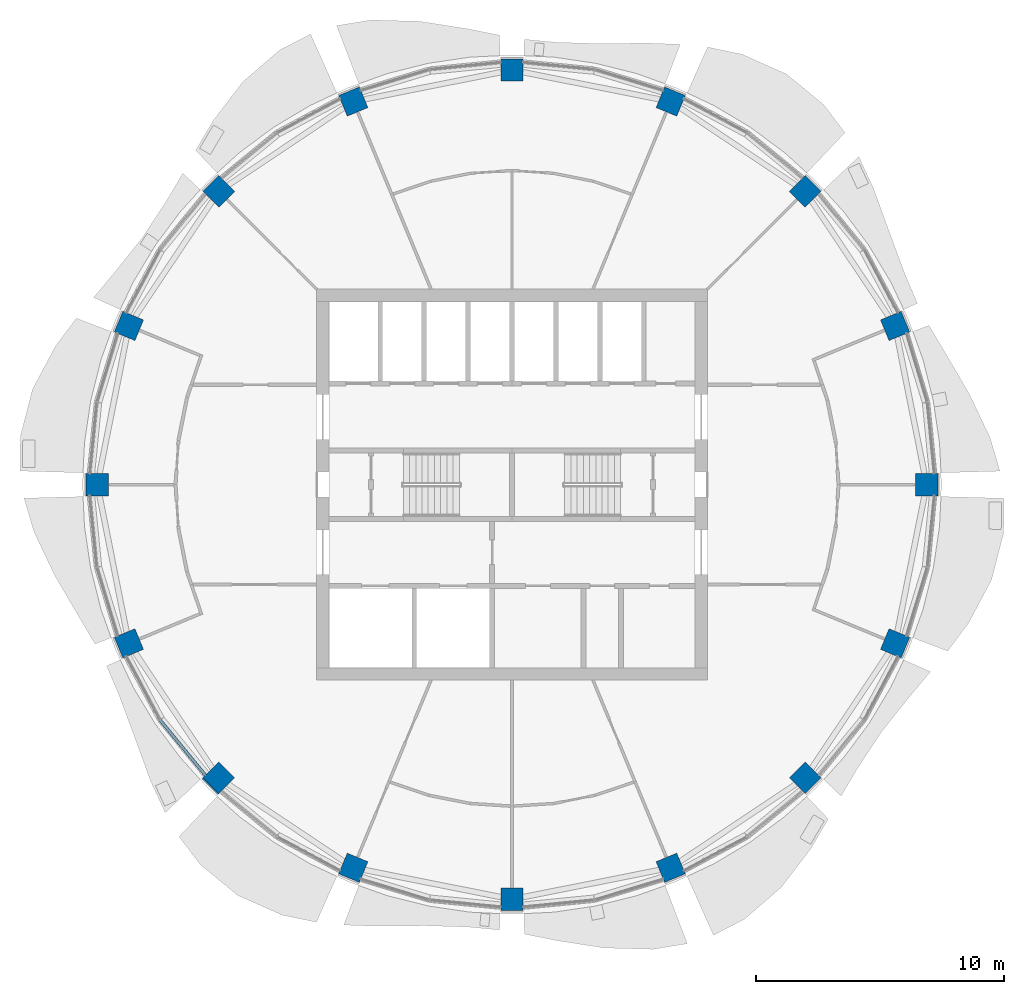
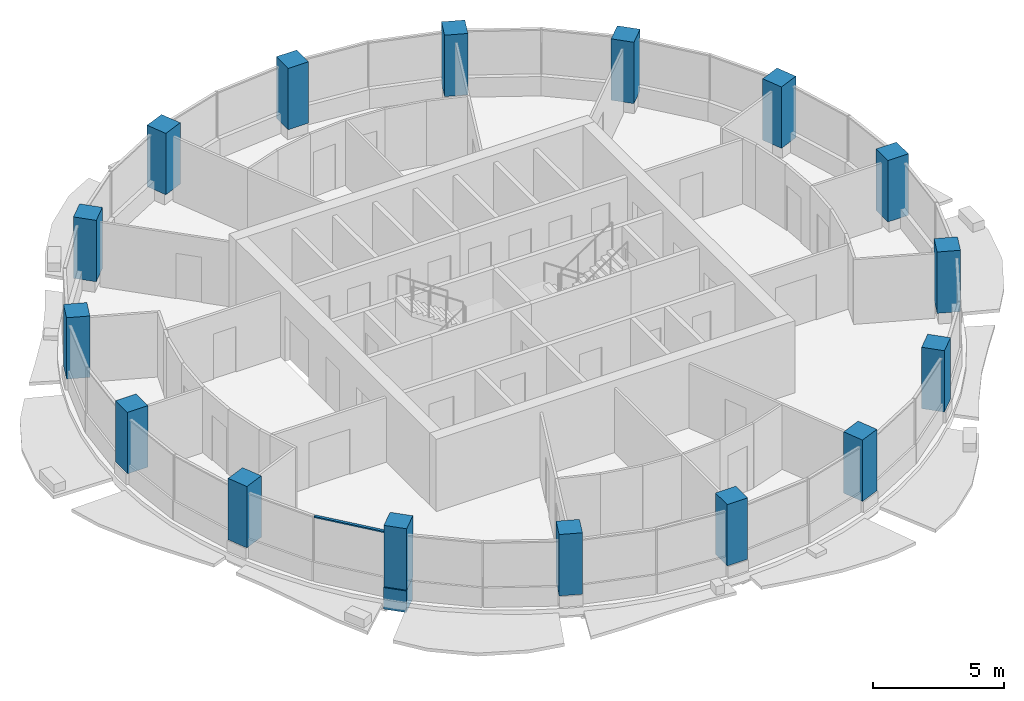
# One storey, part 1 of 15: 16 columns, 2 members, 1 element without a shape of its own.
"""IFC4 building model written with IfcOpenShell, lengths in metres."""

import ifcopenshell
import ifcopenshell.guid

model = None  # the IFC model being written
_history = None  # IfcOwnerHistory: only IFC2X3 demands one
_inside = {}  # id of a spatial element -> (the spatial element, [elements in it])
_under = {}  # id of a project, library or spatial element -> (it, [spatial elements below it])
_declared = {}  # id of a project -> (the project, [libraries it declares])
_typed = {}  # id of a type object -> (the type object, [elements of that type])
_made_of = {}  # id of a material, layer set ... -> (it, [elements and type objects made of it])


def new_model(schema):
    """Start an empty IFC model of exactly this schema.

    Asked for "IFC4X3", IfcOpenShell would pick the latest addendum, in which some entities
    have other attributes; the version numbers below select the first issue.
    IFC2X3 requires an IfcOwnerHistory on every rooted entity: one is made here for all.
    """
    global model, _history
    if schema == "IFC4X3":
        model = ifcopenshell.file(schema_version=(4, 3, 0, 0))
    else:
        model = ifcopenshell.file(schema=schema)
    _inside.clear()
    _under.clear()
    _declared.clear()
    _typed.clear()
    _made_of.clear()
    _history = None
    if model.schema == "IFC2X3":
        org = make("IfcOrganization", Name="unknown")
        user = make(
            "IfcPersonAndOrganization",
            ThePerson=make("IfcPerson", FamilyName="unknown"),
            TheOrganization=org,
        )
        app = make(
            "IfcApplication",
            ApplicationDeveloper=org,
            Version="unknown",
            ApplicationFullName="unknown",
            ApplicationIdentifier="unknown",
        )
        _history = make(
            "IfcOwnerHistory",
            OwningUser=user,
            OwningApplication=app,
            ChangeAction="ADDED",
            CreationDate=0,
        )
    return model


def make(cls, **values):
    """One entity of the class cls with the attributes given. An attribute that is None is left unset."""
    return model.create_entity(
        cls, **{name: value for name, value in values.items() if value is not None}
    )


def rooted(cls, **values):
    """An entity with a GlobalId (a new one), such as an element, a storey or a relation."""
    return make(cls, GlobalId=ifcopenshell.guid.new(), OwnerHistory=_history, **values)


def si_unit(unit_type, name, prefix=None):
    """IfcSIUnit, for example si_unit("LENGTHUNIT", "METRE", prefix="MILLI")."""
    return make("IfcSIUnit", UnitType=unit_type, Prefix=prefix, Name=name)


def assignment(units):
    """IfcUnitAssignment: the units of a project."""
    return None if units is None else make("IfcUnitAssignment", Units=units)


def point(xyz):
    """IfcCartesianPoint."""
    return None if xyz is None else make("IfcCartesianPoint", Coordinates=xyz)


def direction(xyz):
    """IfcDirection."""
    return None if xyz is None else make("IfcDirection", DirectionRatios=xyz)


def frame(location, z_axis=None, x_axis=None):
    """IfcAxis2Placement3D, a coordinate frame: its origin and axes. An axis left out is left unset."""
    return make(
        "IfcAxis2Placement3D",
        Location=point(location),
        Axis=direction(z_axis),
        RefDirection=direction(x_axis),
    )


def frame_2d(location, x_axis=None):
    """IfcAxis2Placement2D, a coordinate frame in the plane: its origin and x axis."""
    return make(
        "IfcAxis2Placement2D", Location=point(location), RefDirection=direction(x_axis)
    )


def origin():
    """The frame at (0, 0, 0) with its axes left unset."""
    return frame((0.0, 0.0, 0.0))


def origin_2d():
    """The frame at (0, 0) in the plane with its x axis left unset."""
    return frame_2d((0.0, 0.0))


def place(relative_to, where):
    """IfcLocalPlacement: puts the frame where relative to a parent placement (None: the world)."""
    return make(
        "IfcLocalPlacement", PlacementRelTo=relative_to, RelativePlacement=where
    )


def context(
    kind, dimensions, precision=None, world=None, true_north=None, identifier=None
):
    """IfcGeometricRepresentationContext, for example the 3D "Model" context."""
    return make(
        "IfcGeometricRepresentationContext",
        ContextIdentifier=identifier,
        ContextType=kind,
        CoordinateSpaceDimension=dimensions,
        Precision=precision,
        WorldCoordinateSystem=world,
        TrueNorth=true_north,
    )


def subcontext(parent, identifier, kind, view, scale=None):
    """IfcGeometricRepresentationSubContext, for example "Body" below "Model"."""
    return make(
        "IfcGeometricRepresentationSubContext",
        ContextIdentifier=identifier,
        ContextType=kind,
        ParentContext=parent,
        TargetScale=scale,
        TargetView=view,
    )


def project(units=None, contexts=None):
    """IfcProject with its units and contexts."""
    return rooted(
        "IfcProject",
        Name="project",
        RepresentationContexts=contexts,
        UnitsInContext=assignment(units),
    )


def spatial(cls, under=None, at=None, **own):
    """A site, building, storey or space (cls), placed at a placement, below another one or the project."""
    s = rooted(cls, ObjectPlacement=at, **own)
    if under is not None:
        _under.setdefault(under.id(), (under, []))[1].append(s)
    return s


def profile(cls, at=None, kind="AREA", **sizes):
    """A parametric profile (cls). Its sizes go by their IFC names, for example OverallWidth=200.0."""
    return make(cls, ProfileType=kind, Position=at, **sizes)


def rectangle(**sizes):
    """IfcRectangleProfileDef."""
    return profile("IfcRectangleProfileDef", **sizes)


def extrude(swept, where, along, depth):
    """IfcExtrudedAreaSolid: the profile swept, set in the frame where, extruded along a direction by depth."""
    return make(
        "IfcExtrudedAreaSolid",
        SweptArea=swept,
        Position=where,
        ExtrudedDirection=direction(along),
        Depth=depth,
    )


def shape(context_of_items, identifier, shape_type, items):
    """IfcShapeRepresentation: the items that make up one representation, for example the "Body"."""
    return make(
        "IfcShapeRepresentation",
        ContextOfItems=context_of_items,
        RepresentationIdentifier=identifier,
        RepresentationType=shape_type,
        Items=items,
    )


def material(Name=None, Category=None):
    """IfcMaterial."""
    return make("IfcMaterial", Name=Name, Category=Category)


def material_profile(
    of_material, cross_section, Name=None, Category=None, Priority=None
):
    """IfcMaterialProfile: a cross section and its material."""
    return make(
        "IfcMaterialProfile",
        Name=Name,
        Material=of_material,
        Profile=cross_section,
        Priority=Priority,
        Category=Category,
    )


def profile_set(profiles, Name=None, composite=None):
    """IfcMaterialProfileSet."""
    return make(
        "IfcMaterialProfileSet",
        Name=Name,
        MaterialProfiles=profiles,
        CompositeProfile=composite,
    )


def made_of(thing, what):
    """Note that an element or type object is made of a material, layer set ...; save() writes the relation."""
    if what is not None:
        _made_of.setdefault(what.id(), (what, []))[1].append(thing)
    return thing


def type_object(cls, material=None, **own):
    """A type object (cls), such as IfcWallType, which elements share."""
    return made_of(rooted(cls, **own), material)


def element(
    cls,
    number,
    at=None,
    inside=None,
    cuts=None,
    type_object=None,
    material=None,
    context=None,
    identifier="Body",
    shape_type=None,
    held_by="IfcProductDefinitionShape",
    body=None,
    shapes=None,
    **own,
):
    """One element of the class cls, such as IfcWall. Its Tag is "e" and its number.

    at: its placement. inside: the storey or other place that contains it. cuts: it is an
    opening in that element (IfcRelVoidsElement). A single representation is given by context,
    identifier, shape_type and body (its items); several are given by shapes. held_by: the class
    of the entity that holds the representations. save() writes the other relations.
    """
    e = rooted(cls, Tag="e%d" % number, ObjectPlacement=at, **own)
    if body is not None:
        shapes = [shape(context, identifier, shape_type, body)]
    if shapes is not None:
        e.Representation = make(held_by, Representations=shapes)
    if inside is not None:
        _inside.setdefault(inside.id(), (inside, []))[1].append(e)
    if cuts is not None:
        rooted(
            "IfcRelVoidsElement", RelatingBuildingElement=cuts, RelatedOpeningElement=e
        )
    if type_object is not None:
        _typed.setdefault(type_object.id(), (type_object, []))[1].append(e)
    return made_of(e, material)


def aggregate(whole, parts):
    """IfcRelAggregates: a whole, such as a stair, and the parts it consists of."""
    return rooted("IfcRelAggregates", RelatingObject=whole, RelatedObjects=parts)


def save(model, path):
    """Write the relations noted so far, then the file.

    IfcRelAggregates (storeys below a building ...), IfcRelContainedInSpatialStructure (elements
    in a storey), IfcRelDefinesByType, IfcRelAssociatesMaterial and IfcRelDeclares: one each for
    every whole, place, type object, material and project.
    """
    for whole, parts in _under.values():
        aggregate(whole, parts)
    for where, things in _inside.values():
        rooted(
            "IfcRelContainedInSpatialStructure",
            RelatedElements=things,
            RelatingStructure=where,
        )
    for kind, things in _typed.values():
        rooted("IfcRelDefinesByType", RelatedObjects=things, RelatingType=kind)
    for what, things in _made_of.values():
        rooted("IfcRelAssociatesMaterial", RelatedObjects=things, RelatingMaterial=what)
    for by, libraries in _declared.values():
        rooted("IfcRelDeclares", RelatingContext=by, RelatedDefinitions=libraries)
    model.write(path)


model = new_model("IFC4")

# Units and contexts
model_context = context("Model", 3, precision=1e-05, world=origin(), true_north=direction((0.0, 1.0)))
body_context = subcontext(model_context, "Body", "Model", "MODEL_VIEW")
ifc_project = project(units=[si_unit("LENGTHUNIT", "METRE"), si_unit("AREAUNIT", "SQUARE_METRE"), si_unit("VOLUMEUNIT", "CUBIC_METRE"), si_unit("PLANEANGLEUNIT", "RADIAN"), si_unit("MASSUNIT", "GRAM", prefix="KILO")], contexts=[model_context])

# Site, building, storey
site_placement = place(None, origin())
site = spatial("IfcSite", under=ifc_project, at=site_placement, CompositionType="ELEMENT")
building_placement = place(site_placement, origin())
building = spatial("IfcBuilding", under=site, at=building_placement, Name="Polderwave Tower", CompositionType="ELEMENT")
storey_placement = place(building_placement, frame((0.0, 0.0, 197.699951171875)))
storey = spatial("IfcBuildingStorey", under=building, at=storey_placement, Name="L53", CompositionType="ELEMENT", Elevation=197.699951171875)

# Columns
ifc_material_1 = material(Name="Concrete C60/75", Category="concrete")
ifc_material_profile_1 = material_profile(ifc_material_1, rectangle(XDim=0.89990234375, YDim=0.89990234375, at=origin_2d()), Name="RC 900x900")
ifc_profile_set_1 = profile_set([ifc_material_profile_1], Name="Concrete C60/75")
column_type = type_object("IfcColumnType", Name="RC COLUMN 900x900 C60/75", PredefinedType="COLUMN", material=ifc_profile_set_1)
for number, where, z_axis, x_axis, name in (
    (1, (16.699951171875, 0.0, 0.5), (0.0, 0.0, 1.0), (1.0, 0.0, 0.0), "Ring column 01"),
    (2, (15.4287109375, 6.390869140625, 0.5), (0.0, 0.0, 1.0), (0.923879532511, 0.382683432365, 0.0), "Ring column 02"),
    (3, (11.80859375, 11.80859375, 0.5), (0.0, 0.0, 1.0), (0.707106781187, 0.707106781187, 0.0), "Ring column 03"),
    (4, (6.390869140625, 15.4287109375, 0.5), (0.0, 0.0, 1.0), (0.382683432365, 0.923879532511, 0.0), "Ring column 04"),
    (5, (0.0, 16.699951171875, 0.5), (0.0, 0.0, 1.0), (0.0, 1.0, 0.0), "Ring column 05"),
    (6, (-6.390869140625, 15.4287109375, 0.5), (0.0, 0.0, 1.0), (-0.382683432365, 0.923879532511, 0.0), "Ring column 06"),
    (7, (-11.80859375, 11.80859375, 0.5), (0.0, 0.0, 1.0), (-0.707106781187, 0.707106781187, 0.0), "Ring column 07"),
    (8, (-15.4287109375, 6.390869140625, 0.5), (0.0, 0.0, 1.0), (-0.923879532511, 0.382683432365, 0.0), "Ring column 08"),
    (9, (-16.699951171875, 0.0, 0.5), (0.0, 0.0, 1.0), (-1.0, 0.0, 0.0), "Ring column 09"),
    (10, (-15.4287109375, -6.390869140625, 0.5), (0.0, 0.0, 1.0), (-0.923879532511, -0.382683432365, 0.0), "Ring column 10"),
    (11, (-11.80859375, -11.80859375, 0.5), (0.0, 0.0, 1.0), (-0.707106781187, -0.707106781187, 0.0), "Ring column 11"),
    (12, (-6.390869140625, -15.4287109375, 0.5), (0.0, 0.0, 1.0), (-0.382683432365, -0.923879532511, 0.0), "Ring column 12"),
    (13, (0.0, -16.699951171875, 0.5), (0.0, 0.0, 1.0), (0.0, -1.0, 0.0), "Ring column 13"),
    (14, (6.390869140625, -15.4287109375, 0.5), (0.0, 0.0, 1.0), (0.382683432365, -0.923879532511, 0.0), "Ring column 14"),
    (15, (11.80859375, -11.80859375, 0.5), (0.0, 0.0, 1.0), (0.707106781187, -0.707106781187, 0.0), "Ring column 15"),
    (16, (15.4287109375, -6.390869140625, 0.5), (0.0, 0.0, 1.0), (0.923879532511, -0.382683432365, 0.0), "Ring column 16"),
):
    element("IfcColumn", number, at=place(storey_placement, frame(where, z_axis=z_axis, x_axis=x_axis)), inside=storey, type_object=column_type, Name=name, PredefinedType="COLUMN", context=body_context, shape_type="SweptSolid", body=[
        extrude(rectangle(XDim=0.89990234375, YDim=0.89990234375, at=origin_2d()), origin(), (0.0, 0.0, 1.0), 2.85009765625),
    ])

# Curtain wall, member
ifc_material_2 = material(Name="Aluminium 6063-T6 and glass", Category="aluminium")
curtain_wall_type = type_object("IfcCurtainWallType", Name="Office ribbon glazing wall", PredefinedType="NOTDEFINED", material=ifc_material_2)
curtain_wall_placement = place(storey_placement, origin())
curtain_wall = element("IfcCurtainWall", 17, at=curtain_wall_placement, inside=storey, type_object=curtain_wall_type, Name="CW3 L53 09", PredefinedType="NOTDEFINED")
ifc_material_3 = material(Name="Aluminium 6063-T6", Category="aluminium")
ifc_material_profile_2 = material_profile(ifc_material_3, rectangle(XDim=0.1201171875, YDim=0.06005859375, at=origin_2d()), Name="AL 60x120")
ifc_profile_set_2 = profile_set([ifc_material_profile_2], Name="Aluminium 6063-T6")
member_type_1 = type_object("IfcMemberType", Name="Office ribbon glazing transom 60x120", PredefinedType="USERDEFINED", material=ifc_profile_set_2)
member_1_placement = place(storey_placement, frame((-14.15966796875, -9.493408203125, 2.969970703125), z_axis=(0.634388465012, -0.773014408313, 0.0), x_axis=(0.773014408313, 0.634388465012, 0.0)))
member_1 = element("IfcMember", 18, at=member_1_placement, type_object=member_type_1, Name="CW3 transom 2", ObjectType="TRANSOM", PredefinedType="USERDEFINED", context=body_context, shape_type="SweptSolid", body=[
    extrude(rectangle(XDim=0.1201171875, YDim=0.06005859375, at=origin_2d()), origin(), (0.0, 0.0, 1.0), 2.863525390625),
])
aggregate(curtain_wall, [member_1])

# Member
ifc_material_profile_3 = material_profile(ifc_material_1, rectangle(XDim=0.89990234375, YDim=0.89990234375, at=origin_2d()), Name="RC 900x900")
ifc_profile_set_3 = profile_set([ifc_material_profile_3], Name="Concrete C60/75")
member_type_2 = type_object("IfcMemberType", Name="RC NODE 900x900 C60/75", PredefinedType="POST", material=ifc_profile_set_3)
member_2_placement = place(storey_placement, frame((-11.84814453125, -11.84814453125, -0.5), z_axis=(0.0, 0.0, 1.0), x_axis=(-0.707106781187, -0.707106781187, 0.0)))
element("IfcMember", 19, at=member_2_placement, inside=storey, type_object=member_type_2, Name="Ring column node 11", PredefinedType="POST", context=body_context, shape_type="SweptSolid", body=[
    extrude(rectangle(XDim=0.89990234375, YDim=0.89990234375, at=origin_2d()), origin(), (0.0, 0.0, 1.0), 1.0),
])

save(model, "model.ifc")
